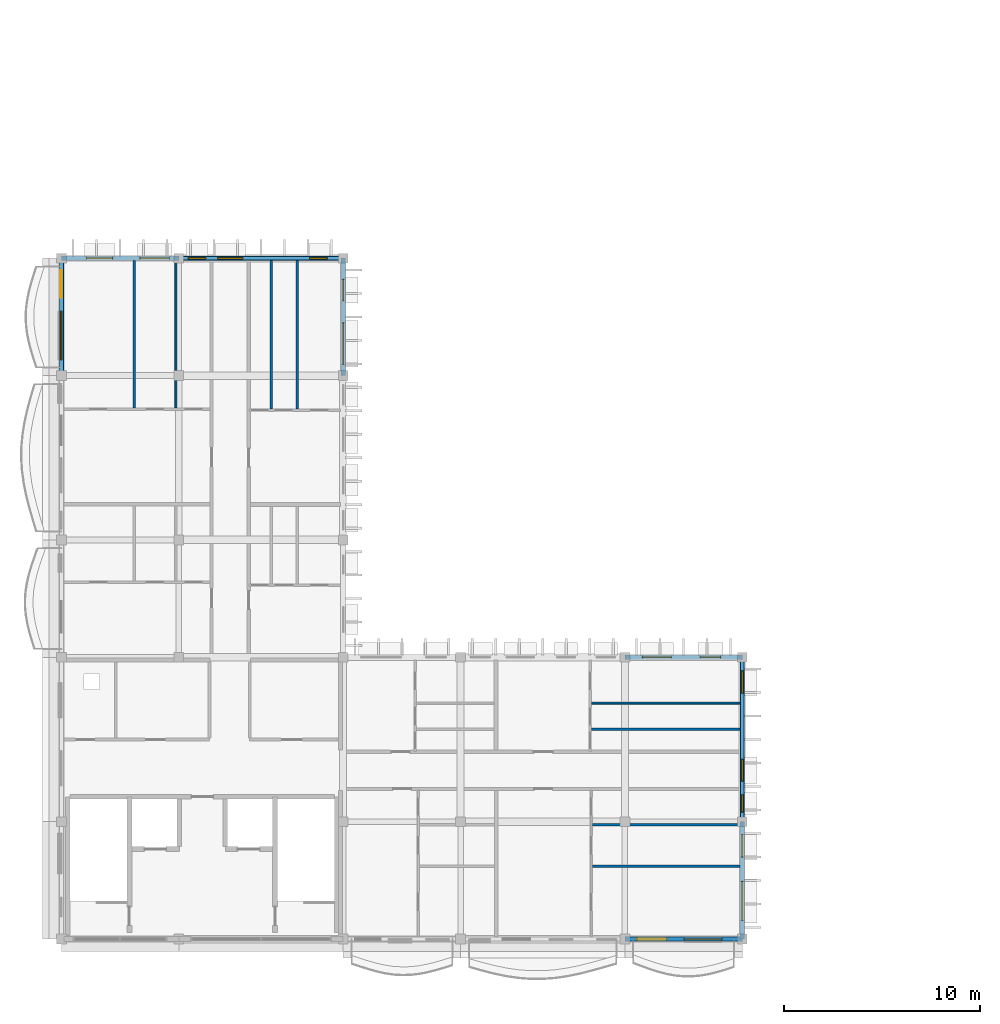
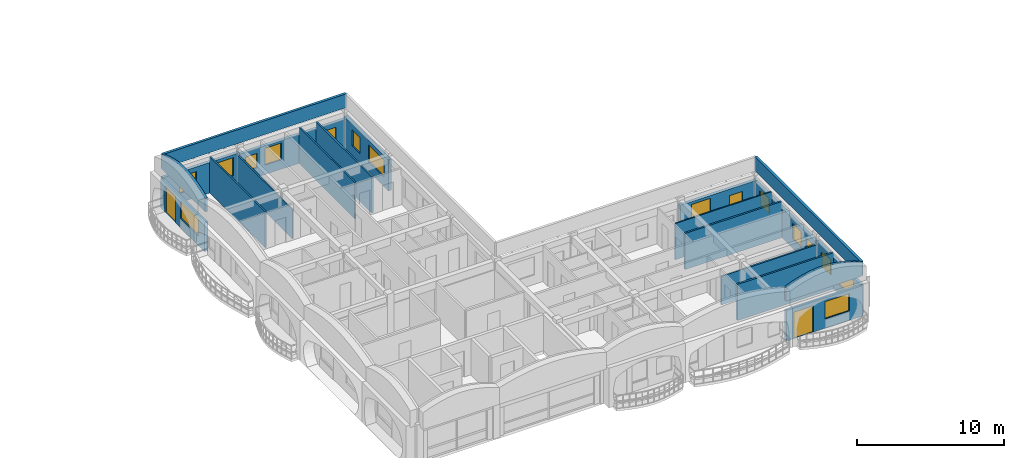
# One storey, part 14 of 45: 20 walls, 16 windows, 2 doors, 18 openings.
"""IFC4 building model written with IfcOpenShell, lengths in metres."""

from ifc_helpers import new_model, si_unit, direction, frame, frame_2d, origin, place, context, subcontext, project, spatial, polyline, rectangle, outline, extrude, material, layer, layer_set, type_object, element, fill, save


model = new_model("IFC4")

# Units and contexts
model_context = context("Model", 3, precision=1e-05, world=origin(), true_north=direction((0.0, 1.0)))
body_context = subcontext(model_context, "Body", "Model", "MODEL_VIEW")
ifc_project = project(units=[si_unit("LENGTHUNIT", "METRE"), si_unit("AREAUNIT", "SQUARE_METRE"), si_unit("VOLUMEUNIT", "CUBIC_METRE"), si_unit("PLANEANGLEUNIT", "RADIAN"), si_unit("MASSUNIT", "GRAM", prefix="KILO"), si_unit("THERMODYNAMICTEMPERATUREUNIT", "KELVIN")], contexts=[model_context])

# Site, building, storey
site_placement = place(None, origin())
site = spatial("IfcSite", under=ifc_project, at=site_placement, CompositionType="ELEMENT")
building_placement = place(site_placement, origin())
building = spatial("IfcBuilding", under=site, at=building_placement, Name="Thalorik Housing Commons", CompositionType="ELEMENT")
storey_placement = place(building_placement, frame((0.0, 0.0, 34.5)))
storey = spatial("IfcBuildingStorey", under=building, at=storey_placement, Name="L10", CompositionType="ELEMENT", Elevation=34.5)

# Wall, openings, windows
ifc_material_1 = material(Name="White precast concrete C40/50", Category="concrete")
ifc_layer_1 = layer(ifc_material_1, 0.2451171875, Name="White precast concrete C40/50", Category="concrete")
ifc_layer_set_1 = layer_set([ifc_layer_1], Name="White precast concrete C40/50")
wall_type_1 = type_object("IfcWallType", Name="ARC-WAL-EXT-245", PredefinedType="STANDARD", material=ifc_layer_set_1)
wall_1_placement = place(storey_placement, frame((22.800048828125, 37.199951171875, 0.0), z_axis=(0.0, 0.0, 1.0), x_axis=(0.0, 1.0, 0.0)))
wall_1 = element("IfcWall", 1, at=wall_1_placement, inside=storey, type_object=wall_type_1, Name="L10 Exterior Wall WAL-EXT-L10-C-1087", PredefinedType="STANDARD", context=body_context, shape_type="SweptSolid", body=[
    extrude(rectangle(XDim=6.0, YDim=0.2451171875, at=frame_2d((3.0, 0.0))), origin(), (0.0, 0.0, 1.0), 2.574951171875),
])
opening_1_placement = place(wall_1_placement, frame((0.570068359375, 0.0, 0.780029296875)))
opening_1 = element("IfcOpeningElement", 2, at=opening_1_placement, cuts=wall_1, Name="Opening W-64", PredefinedType="OPENING", context=body_context, shape_type="SweptSolid", body=[
    extrude(rectangle(XDim=2.1201171875, YDim=1.43994140625, at=frame_2d((1.06005859375, 0.719970703125))), frame((0.0, 0.132568359375, 0.0), z_axis=(0.0, -1.0, 0.0), x_axis=(1.0, 0.0, 0.0)), (0.0, 0.0, 1.0), 0.26513671875),
])
opening_2_placement = place(wall_1_placement, frame((3.820068359375, 0.0, 0.780029296875)))
opening_2 = element("IfcOpeningElement", 3, at=opening_2_placement, cuts=wall_1, Name="Opening W-03", PredefinedType="OPENING", context=body_context, shape_type="SweptSolid", body=[
    extrude(rectangle(XDim=1.10009765625, YDim=1.300048828125, at=frame_2d((0.550048828125, 0.64990234375))), frame((0.0, 0.132568359375, 0.0), z_axis=(0.0, -1.0, 0.0), x_axis=(1.0, 0.0, 0.0)), (0.0, 0.0, 1.0), 0.26513671875),
])
ifc_material_2 = material(Name="Anodised aluminium and solar-control low-E glass", Category="aluminium")
window_type_1 = type_object("IfcWindowType", Name="ARC-WIN-03", PartitioningType="SINGLE_PANEL", PredefinedType="WINDOW", material=ifc_material_2)
window_1_placement = place(opening_2_placement, origin())
window_1 = element("IfcWindow", 4, at=window_1_placement, inside=storey, type_object=window_type_1, Name="L10 Facade Window 2003", OverallHeight=1.300048828125, OverallWidth=1.10009765625, PartitioningType="SINGLE_PANEL", PredefinedType="WINDOW", context=body_context, shape_type="SweptSolid", body=[
    extrude(rectangle(XDim=1.10009765625, YDim=1.300048828125, at=frame_2d((0.550048828125, 0.64990234375))), frame((0.0, 0.030029296875, 0.0), z_axis=(0.0, -1.0, 0.0), x_axis=(1.0, 0.0, 0.0)), (0.0, 0.0, 1.0), 0.06005859375),
])
fill(opening_2, window_1)
window_type_2 = type_object("IfcWindowType", Name="ARC-WIN-64", PartitioningType="DOUBLE_PANEL_VERTICAL", PredefinedType="WINDOW", material=ifc_material_2)
window_2_placement = place(opening_1_placement, origin())
window_2 = element("IfcWindow", 5, at=window_2_placement, inside=storey, type_object=window_type_2, Name="L10 Facade Window 2002", OverallHeight=1.43994140625, OverallWidth=2.1201171875, PartitioningType="DOUBLE_PANEL_VERTICAL", PredefinedType="WINDOW", context=body_context, shape_type="SweptSolid", body=[
    extrude(rectangle(XDim=2.1201171875, YDim=1.43994140625, at=frame_2d((1.06005859375, 0.719970703125))), frame((0.0, 0.030029296875, 0.0), z_axis=(0.0, -1.0, 0.0), x_axis=(1.0, 0.0, 0.0)), (0.0, 0.0, 1.0), 0.06005859375),
])
fill(opening_1, window_2)

wall_2_placement = place(storey_placement, frame((22.800048828125, 43.199951171875, 0.0), z_axis=(0.0, 0.0, 1.0), x_axis=(-1.0, 0.0, 0.0)))
wall_2 = element("IfcWall", 6, at=wall_2_placement, inside=storey, type_object=wall_type_1, Name="L10 Exterior Wall WAL-EXT-L10-C-1088", PredefinedType="STANDARD", context=body_context, shape_type="SweptSolid", body=[
    extrude(rectangle(XDim=8.400146484375, YDim=0.2451171875, at=frame_2d((4.2001953125, 0.0))), origin(), (0.0, 0.0, 1.0), 2.375),
])
opening_3_placement = place(wall_2_placement, frame((0.8173828125, 0.0, 0.780029296875)))
opening_3 = element("IfcOpeningElement", 7, at=opening_3_placement, cuts=wall_2, Name="Opening W-01", PredefinedType="OPENING", context=body_context, shape_type="SweptSolid", body=[
    extrude(rectangle(XDim=0.89990234375, YDim=1.199951171875, at=frame_2d((0.449951171875, 0.60009765625))), frame((0.0, 0.132568359375, 0.0), z_axis=(0.0, -1.0, 0.0), x_axis=(1.0, 0.0, 0.0)), (0.0, 0.0, 1.0), 0.26513671875),
])
opening_4_placement = place(wall_2_placement, frame((5.1201171875, 0.0, 0.780029296875)))
opening_4 = element("IfcOpeningElement", 8, at=opening_4_placement, cuts=wall_2, Name="Opening W-06", PredefinedType="OPENING", context=body_context, shape_type="SweptSolid", body=[
    extrude(rectangle(XDim=1.300048828125, YDim=1.39990234375, at=frame_2d((0.64990234375, 0.699951171875))), frame((0.0, 0.132568359375, 0.0), z_axis=(0.0, -1.0, 0.0), x_axis=(1.0, 0.0, 0.0)), (0.0, 0.0, 1.0), 0.26513671875),
])
opening_5_placement = place(wall_2_placement, frame((7.014892578125, 0.0, 0.780029296875)))
opening_5 = element("IfcOpeningElement", 9, at=opening_5_placement, cuts=wall_2, Name="Opening W-01", PredefinedType="OPENING", context=body_context, shape_type="SweptSolid", body=[
    extrude(rectangle(XDim=0.89990234375, YDim=1.199951171875, at=frame_2d((0.449951171875, 0.60009765625))), frame((0.0, 0.132568359375, 0.0), z_axis=(0.0, -1.0, 0.0), x_axis=(1.0, 0.0, 0.0)), (0.0, 0.0, 1.0), 0.26513671875),
])
window_type_3 = type_object("IfcWindowType", Name="ARC-WIN-01", PartitioningType="SINGLE_PANEL", PredefinedType="WINDOW", material=ifc_material_2)
window_3_placement = place(opening_3_placement, origin())
window_3 = element("IfcWindow", 10, at=window_3_placement, inside=storey, type_object=window_type_3, Name="L10 Facade Window 2004", OverallHeight=1.199951171875, OverallWidth=0.89990234375, PartitioningType="SINGLE_PANEL", PredefinedType="WINDOW", context=body_context, shape_type="SweptSolid", body=[
    extrude(rectangle(XDim=0.89990234375, YDim=1.199951171875, at=frame_2d((0.449951171875, 0.60009765625))), frame((0.0, 0.030029296875, 0.0), z_axis=(0.0, -1.0, 0.0), x_axis=(1.0, 0.0, 0.0)), (0.0, 0.0, 1.0), 0.06005859375),
])
fill(opening_3, window_3)
window_4_placement = place(opening_5_placement, origin())
window_4 = element("IfcWindow", 11, at=window_4_placement, inside=storey, type_object=window_type_3, Name="L10 Facade Window 2006", OverallHeight=1.199951171875, OverallWidth=0.89990234375, PartitioningType="SINGLE_PANEL", PredefinedType="WINDOW", context=body_context, shape_type="SweptSolid", body=[
    extrude(rectangle(XDim=0.89990234375, YDim=1.199951171875, at=frame_2d((0.449951171875, 0.60009765625))), frame((0.0, 0.030029296875, 0.0), z_axis=(0.0, -1.0, 0.0), x_axis=(1.0, 0.0, 0.0)), (0.0, 0.0, 1.0), 0.06005859375),
])
fill(opening_5, window_4)
window_type_4 = type_object("IfcWindowType", Name="ARC-WIN-06", PartitioningType="SINGLE_PANEL", PredefinedType="WINDOW", material=ifc_material_2)
window_5_placement = place(opening_4_placement, origin())
window_5 = element("IfcWindow", 12, at=window_5_placement, inside=storey, type_object=window_type_4, Name="L10 Facade Window 2005", OverallHeight=1.39990234375, OverallWidth=1.300048828125, PartitioningType="SINGLE_PANEL", PredefinedType="WINDOW", context=body_context, shape_type="SweptSolid", body=[
    extrude(rectangle(XDim=1.300048828125, YDim=1.39990234375, at=frame_2d((0.64990234375, 0.699951171875))), frame((0.0, 0.030029296875, 0.0), z_axis=(0.0, -1.0, 0.0), x_axis=(1.0, 0.0, 0.0)), (0.0, 0.0, 1.0), 0.06005859375),
])
fill(opening_4, window_5)

wall_3_placement = place(storey_placement, frame((14.39990234375, 43.199951171875, 0.0), z_axis=(0.0, 0.0, 1.0), x_axis=(-1.0, 0.0, 0.0)))
wall_3 = element("IfcWall", 13, at=wall_3_placement, inside=storey, type_object=wall_type_1, Name="L10 Exterior Wall WAL-EXT-L10-C-1089", PredefinedType="STANDARD", context=body_context, shape_type="SweptSolid", body=[
    extrude(rectangle(XDim=6.0, YDim=0.2451171875, at=frame_2d((3.0, 0.0))), origin(), (0.0, 0.0, 1.0), 2.52490234375),
])
opening_6_placement = place(wall_3_placement, frame((0.486083984375, 0.0, 0.780029296875)))
opening_6 = element("IfcOpeningElement", 14, at=opening_6_placement, cuts=wall_3, Name="Opening W-10", PredefinedType="OPENING", context=body_context, shape_type="SweptSolid", body=[
    extrude(rectangle(XDim=1.5, YDim=1.5, at=frame_2d((0.75, 0.75))), frame((0.0, 0.132568359375, 0.0), z_axis=(0.0, -1.0, 0.0), x_axis=(1.0, 0.0, 0.0)), (0.0, 0.0, 1.0), 0.26513671875),
])
opening_7_placement = place(wall_3_placement, frame((3.38623046875, 0.0, 0.780029296875)))
opening_7 = element("IfcOpeningElement", 15, at=opening_7_placement, cuts=wall_3, Name="Opening W-48", PredefinedType="OPENING", context=body_context, shape_type="SweptSolid", body=[
    extrude(rectangle(XDim=1.320068359375, YDim=1.35009765625, at=frame_2d((0.66015625, 0.675048828125))), frame((0.0, 0.132568359375, 0.0), z_axis=(0.0, -1.0, 0.0), x_axis=(1.0, 0.0, 0.0)), (0.0, 0.0, 1.0), 0.26513671875),
])
window_type_5 = type_object("IfcWindowType", Name="ARC-WIN-10", PartitioningType="SINGLE_PANEL", PredefinedType="WINDOW", material=ifc_material_2)
window_6_placement = place(opening_6_placement, origin())
window_6 = element("IfcWindow", 16, at=window_6_placement, inside=storey, type_object=window_type_5, Name="L10 Facade Window 2007", OverallHeight=1.5, OverallWidth=1.5, PartitioningType="SINGLE_PANEL", PredefinedType="WINDOW", context=body_context, shape_type="SweptSolid", body=[
    extrude(rectangle(XDim=1.5, YDim=1.5, at=frame_2d((0.75, 0.75))), frame((0.0, 0.030029296875, 0.0), z_axis=(0.0, -1.0, 0.0), x_axis=(1.0, 0.0, 0.0)), (0.0, 0.0, 1.0), 0.06005859375),
])
fill(opening_6, window_6)
window_type_6 = type_object("IfcWindowType", Name="ARC-WIN-48", PartitioningType="SINGLE_PANEL", PredefinedType="WINDOW", material=ifc_material_2)
window_7_placement = place(opening_7_placement, origin())
window_7 = element("IfcWindow", 17, at=window_7_placement, inside=storey, type_object=window_type_6, Name="L10 Facade Window 2008", OverallHeight=1.35009765625, OverallWidth=1.320068359375, PartitioningType="SINGLE_PANEL", PredefinedType="WINDOW", context=body_context, shape_type="SweptSolid", body=[
    extrude(rectangle(XDim=1.320068359375, YDim=1.35009765625, at=frame_2d((0.66015625, 0.675048828125))), frame((0.0, 0.030029296875, 0.0), z_axis=(0.0, -1.0, 0.0), x_axis=(1.0, 0.0, 0.0)), (0.0, 0.0, 1.0), 0.06005859375),
])
fill(opening_7, window_7)

# Wall, openings, door, window
wall_4_placement = place(storey_placement, frame((8.39990234375, 43.199951171875, 0.0), z_axis=(0.0, 0.0, 1.0), x_axis=(0.0, -1.0, 0.0)))
wall_4 = element("IfcWall", 18, at=wall_4_placement, inside=storey, type_object=wall_type_1, Name="L10 Exterior Wall WAL-EXT-L10-C-1090", PredefinedType="STANDARD", context=body_context, shape_type="SweptSolid", body=[
    extrude(rectangle(XDim=6.0, YDim=0.2451171875, at=frame_2d((3.0, 0.0))), origin(), (0.0, 0.0, 1.0), 2.445068359375),
])
opening_8_placement = place(wall_4_placement, frame((0.6201171875, 0.0, 0.0)))
opening_8 = element("IfcOpeningElement", 19, at=opening_8_placement, cuts=wall_4, Name="Opening ED-0364", PredefinedType="OPENING", context=body_context, shape_type="SweptSolid", body=[
    extrude(rectangle(XDim=1.39990234375, YDim=2.199951171875, at=frame_2d((0.699951171875, 1.10009765625))), frame((0.0, 0.132568359375, 0.0), z_axis=(0.0, -1.0, 0.0), x_axis=(1.0, 0.0, 0.0)), (0.0, 0.0, 1.0), 0.26513671875),
])
opening_9_placement = place(wall_4_placement, frame((2.699951171875, 0.0, 0.780029296875)))
opening_9 = element("IfcOpeningElement", 20, at=opening_9_placement, cuts=wall_4, Name="Opening W-71", PredefinedType="OPENING", context=body_context, shape_type="SweptSolid", body=[
    extrude(rectangle(XDim=2.47998046875, YDim=1.4599609375, at=frame_2d((1.239990234375, 0.72998046875))), frame((0.0, 0.132568359375, 0.0), z_axis=(0.0, -1.0, 0.0), x_axis=(1.0, 0.0, 0.0)), (0.0, 0.0, 1.0), 0.26513671875),
])
ifc_material_3 = material(Name="Anodised aluminium and laminated safety glass", Category="aluminium")
door_type_1 = type_object("IfcDoorType", Name="ARC-DR-BAL-1400", OperationType="NOTDEFINED", PredefinedType="DOOR", material=ifc_material_3)
door_1_placement = place(opening_8_placement, frame((1.39990234375, 0.0, 0.0), z_axis=(0.0, 0.0, 1.0), x_axis=(-1.0, 0.0, 0.0)))
door_1 = element("IfcDoor", 21, at=door_1_placement, inside=storey, type_object=door_type_1, Name="L10 Block C Balcony Glazed Door", OperationType="SLIDING_TO_LEFT", OverallHeight=2.199951171875, OverallWidth=1.39990234375, PredefinedType="DOOR", context=body_context, shape_type="SweptSolid", body=[
    extrude(rectangle(XDim=1.39990234375, YDim=2.199951171875, at=frame_2d((0.699951171875, 1.10009765625))), frame((0.0, 0.02490234375, 0.0), z_axis=(0.0, -1.0, 0.0), x_axis=(1.0, 0.0, 0.0)), (0.0, 0.0, 1.0), 0.050048828125),
])
fill(opening_8, door_1)
window_type_7 = type_object("IfcWindowType", Name="ARC-WIN-71", PartitioningType="DOUBLE_PANEL_VERTICAL", PredefinedType="WINDOW", material=ifc_material_2)
window_8_placement = place(opening_9_placement, origin())
window_8 = element("IfcWindow", 22, at=window_8_placement, inside=storey, type_object=window_type_7, Name="L10 Facade Window 2009", OverallHeight=1.4599609375, OverallWidth=2.47998046875, PartitioningType="DOUBLE_PANEL_VERTICAL", PredefinedType="WINDOW", context=body_context, shape_type="SweptSolid", body=[
    extrude(rectangle(XDim=2.47998046875, YDim=1.4599609375, at=frame_2d((1.239990234375, 0.72998046875))), frame((0.0, 0.030029296875, 0.0), z_axis=(0.0, -1.0, 0.0), x_axis=(1.0, 0.0, 0.0)), (0.0, 0.0, 1.0), 0.06005859375),
])
fill(opening_9, window_8)

wall_5_placement = place(storey_placement, frame((37.199951171875, 8.39990234375, 0.0), z_axis=(0.0, 0.0, 1.0), x_axis=(1.0, 0.0, 0.0)))
wall_5 = element("IfcWall", 23, at=wall_5_placement, inside=storey, type_object=wall_type_1, Name="L10 Exterior Wall WAL-EXT-L10-C-1099", PredefinedType="STANDARD", context=body_context, shape_type="SweptSolid", body=[
    extrude(rectangle(XDim=6.0, YDim=0.2451171875, at=frame_2d((3.0, 0.0))), origin(), (0.0, 0.0, 1.0), 2.52490234375),
])
opening_10_placement = place(wall_5_placement, frame((0.6201171875, 0.0, 0.0)))
opening_10 = element("IfcOpeningElement", 24, at=opening_10_placement, cuts=wall_5, Name="Opening ED-0369", PredefinedType="OPENING", context=body_context, shape_type="SweptSolid", body=[
    extrude(rectangle(XDim=1.5, YDim=2.199951171875, at=frame_2d((0.75, 1.10009765625))), frame((0.0, 0.132568359375, 0.0), z_axis=(0.0, -1.0, 0.0), x_axis=(1.0, 0.0, 0.0)), (0.0, 0.0, 1.0), 0.26513671875),
])
opening_11_placement = place(wall_5_placement, frame((3.030029296875, 0.0, 0.780029296875)))
opening_11 = element("IfcOpeningElement", 25, at=opening_11_placement, cuts=wall_5, Name="Opening W-60", PredefinedType="OPENING", context=body_context, shape_type="SweptSolid", body=[
    extrude(rectangle(XDim=1.919921875, YDim=1.43994140625, at=frame_2d((0.9599609375, 0.719970703125))), frame((0.0, 0.132568359375, 0.0), z_axis=(0.0, -1.0, 0.0), x_axis=(1.0, 0.0, 0.0)), (0.0, 0.0, 1.0), 0.26513671875),
])
door_type_2 = type_object("IfcDoorType", Name="ARC-DR-BAL-1500", OperationType="NOTDEFINED", PredefinedType="DOOR", material=ifc_material_3)
door_2_placement = place(opening_10_placement, frame((1.5, 0.0, 0.0), z_axis=(0.0, 0.0, 1.0), x_axis=(-1.0, 0.0, 0.0)))
door_2 = element("IfcDoor", 26, at=door_2_placement, inside=storey, type_object=door_type_2, Name="L10 Block C Balcony Glazed Door", OperationType="SLIDING_TO_RIGHT", OverallHeight=2.199951171875, OverallWidth=1.5, PredefinedType="DOOR", context=body_context, shape_type="SweptSolid", body=[
    extrude(rectangle(XDim=1.5, YDim=2.199951171875, at=frame_2d((0.75, 1.10009765625))), frame((0.0, 0.02490234375, 0.0), z_axis=(0.0, -1.0, 0.0), x_axis=(1.0, 0.0, 0.0)), (0.0, 0.0, 1.0), 0.050048828125),
])
fill(opening_10, door_2)
window_type_8 = type_object("IfcWindowType", Name="ARC-WIN-60", PartitioningType="DOUBLE_PANEL_VERTICAL", PredefinedType="WINDOW", material=ifc_material_2)
window_9_placement = place(opening_11_placement, origin())
window_9 = element("IfcWindow", 27, at=window_9_placement, inside=storey, type_object=window_type_8, Name="L10 Facade Window 2023", OverallHeight=1.43994140625, OverallWidth=1.919921875, PartitioningType="DOUBLE_PANEL_VERTICAL", PredefinedType="WINDOW", context=body_context, shape_type="SweptSolid", body=[
    extrude(rectangle(XDim=1.919921875, YDim=1.43994140625, at=frame_2d((0.9599609375, 0.719970703125))), frame((0.0, 0.030029296875, 0.0), z_axis=(0.0, -1.0, 0.0), x_axis=(1.0, 0.0, 0.0)), (0.0, 0.0, 1.0), 0.06005859375),
])
fill(opening_11, window_9)

# Wall, openings, windows
wall_6_placement = place(storey_placement, frame((43.199951171875, 8.39990234375, 0.0), z_axis=(0.0, 0.0, 1.0), x_axis=(0.0, 1.0, 0.0)))
wall_6 = element("IfcWall", 28, at=wall_6_placement, inside=storey, type_object=wall_type_1, Name="L10 Exterior Wall WAL-EXT-L10-C-1100", PredefinedType="STANDARD", context=body_context, shape_type="SweptSolid", body=[
    extrude(rectangle(XDim=6.0, YDim=0.2451171875, at=frame_2d((3.0, 0.0))), origin(), (0.0, 0.0, 1.0), 2.574951171875),
])
opening_12_placement = place(wall_6_placement, frame((0.953857421875, 0.0, 0.780029296875)))
opening_12 = element("IfcOpeningElement", 29, at=opening_12_placement, cuts=wall_6, Name="Opening W-23", PredefinedType="OPENING", context=body_context, shape_type="SweptSolid", body=[
    extrude(rectangle(XDim=2.0, YDim=1.5, at=frame_2d((1.0, 0.75))), frame((0.0, 0.132568359375, 0.0), z_axis=(0.0, -1.0, 0.0), x_axis=(1.0, 0.0, 0.0)), (0.0, 0.0, 1.0), 0.26513671875),
])
opening_13_placement = place(wall_6_placement, frame((4.188720703125, 0.0, 0.780029296875)))
opening_13 = element("IfcOpeningElement", 30, at=opening_13_placement, cuts=wall_6, Name="Opening W-45", PredefinedType="OPENING", context=body_context, shape_type="SweptSolid", body=[
    extrude(rectangle(XDim=1.14990234375, YDim=1.25, at=frame_2d((0.574951171875, 0.625))), frame((0.0, 0.132568359375, 0.0), z_axis=(0.0, -1.0, 0.0), x_axis=(1.0, 0.0, 0.0)), (0.0, 0.0, 1.0), 0.26513671875),
])
window_type_9 = type_object("IfcWindowType", Name="ARC-WIN-23", PartitioningType="DOUBLE_PANEL_VERTICAL", PredefinedType="WINDOW", material=ifc_material_2)
window_10_placement = place(opening_12_placement, origin())
window_10 = element("IfcWindow", 31, at=window_10_placement, inside=storey, type_object=window_type_9, Name="L10 Facade Window 2024", OverallHeight=1.5, OverallWidth=2.0, PartitioningType="DOUBLE_PANEL_VERTICAL", PredefinedType="WINDOW", context=body_context, shape_type="SweptSolid", body=[
    extrude(rectangle(XDim=2.0, YDim=1.5, at=frame_2d((1.0, 0.75))), frame((0.0, 0.030029296875, 0.0), z_axis=(0.0, -1.0, 0.0), x_axis=(1.0, 0.0, 0.0)), (0.0, 0.0, 1.0), 0.06005859375),
])
fill(opening_12, window_10)
window_type_10 = type_object("IfcWindowType", Name="ARC-WIN-45", PartitioningType="SINGLE_PANEL", PredefinedType="WINDOW", material=ifc_material_2)
window_11_placement = place(opening_13_placement, origin())
window_11 = element("IfcWindow", 32, at=window_11_placement, inside=storey, type_object=window_type_10, Name="L10 Facade Window 2025", OverallHeight=1.25, OverallWidth=1.14990234375, PartitioningType="SINGLE_PANEL", PredefinedType="WINDOW", context=body_context, shape_type="SweptSolid", body=[
    extrude(rectangle(XDim=1.14990234375, YDim=1.25, at=frame_2d((0.574951171875, 0.625))), frame((0.0, 0.030029296875, 0.0), z_axis=(0.0, -1.0, 0.0), x_axis=(1.0, 0.0, 0.0)), (0.0, 0.0, 1.0), 0.06005859375),
])
fill(opening_13, window_11)

wall_7_placement = place(storey_placement, frame((43.199951171875, 14.39990234375, 0.0), z_axis=(0.0, 0.0, 1.0), x_axis=(0.0, 1.0, 0.0)))
wall_7 = element("IfcWall", 33, at=wall_7_placement, inside=storey, type_object=wall_type_1, Name="L10 Exterior Wall WAL-EXT-L10-C-1101", PredefinedType="STANDARD", context=body_context, shape_type="SweptSolid", body=[
    extrude(rectangle(XDim=8.400146484375, YDim=0.2451171875, at=frame_2d((4.2001953125, 0.0))), origin(), (0.0, 0.0, 1.0), 2.425048828125),
])
opening_14_placement = place(wall_7_placement, frame((0.485107421875, 0.0, 0.780029296875)))
opening_14 = element("IfcOpeningElement", 34, at=opening_14_placement, cuts=wall_7, Name="Opening W-01", PredefinedType="OPENING", context=body_context, shape_type="SweptSolid", body=[
    extrude(rectangle(XDim=0.89990234375, YDim=1.199951171875, at=frame_2d((0.449951171875, 0.60009765625))), frame((0.0, 0.132568359375, 0.0), z_axis=(0.0, -1.0, 0.0), x_axis=(1.0, 0.0, 0.0)), (0.0, 0.0, 1.0), 0.26513671875),
])
opening_15_placement = place(wall_7_placement, frame((2.080078125, 0.0, 0.780029296875)))
opening_15 = element("IfcOpeningElement", 35, at=opening_15_placement, cuts=wall_7, Name="Opening W-03", PredefinedType="OPENING", context=body_context, shape_type="SweptSolid", body=[
    extrude(rectangle(XDim=1.10009765625, YDim=1.300048828125, at=frame_2d((0.550048828125, 0.64990234375))), frame((0.0, 0.132568359375, 0.0), z_axis=(0.0, -1.0, 0.0), x_axis=(1.0, 0.0, 0.0)), (0.0, 0.0, 1.0), 0.26513671875),
])
opening_16_placement = place(wall_7_placement, frame((6.5576171875, 0.0, 0.780029296875)))
opening_16 = element("IfcOpeningElement", 36, at=opening_16_placement, cuts=wall_7, Name="Opening W-45", PredefinedType="OPENING", context=body_context, shape_type="SweptSolid", body=[
    extrude(rectangle(XDim=1.14990234375, YDim=1.25, at=frame_2d((0.574951171875, 0.625))), frame((0.0, 0.132568359375, 0.0), z_axis=(0.0, -1.0, 0.0), x_axis=(1.0, 0.0, 0.0)), (0.0, 0.0, 1.0), 0.26513671875),
])
window_12_placement = place(opening_14_placement, origin())
window_12 = element("IfcWindow", 37, at=window_12_placement, inside=storey, type_object=window_type_3, Name="L10 Facade Window 2026", OverallHeight=1.199951171875, OverallWidth=0.89990234375, PartitioningType="SINGLE_PANEL", PredefinedType="WINDOW", context=body_context, shape_type="SweptSolid", body=[
    extrude(rectangle(XDim=0.89990234375, YDim=1.199951171875, at=frame_2d((0.449951171875, 0.60009765625))), frame((0.0, 0.030029296875, 0.0), z_axis=(0.0, -1.0, 0.0), x_axis=(1.0, 0.0, 0.0)), (0.0, 0.0, 1.0), 0.06005859375),
])
fill(opening_14, window_12)
window_13_placement = place(opening_15_placement, origin())
window_13 = element("IfcWindow", 38, at=window_13_placement, inside=storey, type_object=window_type_1, Name="L10 Facade Window 2027", OverallHeight=1.300048828125, OverallWidth=1.10009765625, PartitioningType="SINGLE_PANEL", PredefinedType="WINDOW", context=body_context, shape_type="SweptSolid", body=[
    extrude(rectangle(XDim=1.10009765625, YDim=1.300048828125, at=frame_2d((0.550048828125, 0.64990234375))), frame((0.0, 0.030029296875, 0.0), z_axis=(0.0, -1.0, 0.0), x_axis=(1.0, 0.0, 0.0)), (0.0, 0.0, 1.0), 0.06005859375),
])
fill(opening_15, window_13)
window_14_placement = place(opening_16_placement, origin())
window_14 = element("IfcWindow", 39, at=window_14_placement, inside=storey, type_object=window_type_10, Name="L10 Facade Window 2028", OverallHeight=1.25, OverallWidth=1.14990234375, PartitioningType="SINGLE_PANEL", PredefinedType="WINDOW", context=body_context, shape_type="SweptSolid", body=[
    extrude(rectangle(XDim=1.14990234375, YDim=1.25, at=frame_2d((0.574951171875, 0.625))), frame((0.0, 0.030029296875, 0.0), z_axis=(0.0, -1.0, 0.0), x_axis=(1.0, 0.0, 0.0)), (0.0, 0.0, 1.0), 0.06005859375),
])
fill(opening_16, window_14)

wall_8_placement = place(storey_placement, frame((43.199951171875, 22.800048828125, 0.0), z_axis=(0.0, 0.0, 1.0), x_axis=(-1.0, 0.0, 0.0)))
wall_8 = element("IfcWall", 40, at=wall_8_placement, inside=storey, type_object=wall_type_1, Name="L10 Exterior Wall WAL-EXT-L10-C-1102", PredefinedType="STANDARD", context=body_context, shape_type="SweptSolid", body=[
    extrude(rectangle(XDim=6.0, YDim=0.2451171875, at=frame_2d((3.0, 0.0))), origin(), (0.0, 0.0, 1.0), 2.52490234375),
])
opening_17_placement = place(wall_8_placement, frame((1.10498046875, 0.0, 0.780029296875)))
opening_17 = element("IfcOpeningElement", 41, at=opening_17_placement, cuts=wall_8, Name="Opening W-44", PredefinedType="OPENING", context=body_context, shape_type="SweptSolid", body=[
    extrude(rectangle(XDim=1.050048828125, YDim=1.199951171875, at=frame_2d((0.52490234375, 0.60009765625))), frame((0.0, 0.132568359375, 0.0), z_axis=(0.0, -1.0, 0.0), x_axis=(1.0, 0.0, 0.0)), (0.0, 0.0, 1.0), 0.26513671875),
])
opening_18_placement = place(wall_8_placement, frame((3.6298828125, 0.0, 0.780029296875)))
opening_18 = element("IfcOpeningElement", 42, at=opening_18_placement, cuts=wall_8, Name="Opening W-51", PredefinedType="OPENING", context=body_context, shape_type="SweptSolid", body=[
    extrude(rectangle(XDim=1.47998046875, YDim=1.52001953125, at=frame_2d((0.739990234375, 0.760009765625))), frame((0.0, 0.132568359375, 0.0), z_axis=(0.0, -1.0, 0.0), x_axis=(1.0, 0.0, 0.0)), (0.0, 0.0, 1.0), 0.26513671875),
])
window_type_11 = type_object("IfcWindowType", Name="ARC-WIN-44", PartitioningType="SINGLE_PANEL", PredefinedType="WINDOW", material=ifc_material_2)
window_15_placement = place(opening_17_placement, origin())
window_15 = element("IfcWindow", 43, at=window_15_placement, inside=storey, type_object=window_type_11, Name="L10 Facade Window 2029", OverallHeight=1.199951171875, OverallWidth=1.050048828125, PartitioningType="SINGLE_PANEL", PredefinedType="WINDOW", context=body_context, shape_type="SweptSolid", body=[
    extrude(rectangle(XDim=1.050048828125, YDim=1.199951171875, at=frame_2d((0.52490234375, 0.60009765625))), frame((0.0, 0.030029296875, 0.0), z_axis=(0.0, -1.0, 0.0), x_axis=(1.0, 0.0, 0.0)), (0.0, 0.0, 1.0), 0.06005859375),
])
fill(opening_17, window_15)
window_type_12 = type_object("IfcWindowType", Name="ARC-WIN-51", PartitioningType="SINGLE_PANEL", PredefinedType="WINDOW", material=ifc_material_2)
window_16_placement = place(opening_18_placement, origin())
window_16 = element("IfcWindow", 44, at=window_16_placement, inside=storey, type_object=window_type_12, Name="L10 Facade Window 2030", OverallHeight=1.52001953125, OverallWidth=1.47998046875, PartitioningType="SINGLE_PANEL", PredefinedType="WINDOW", context=body_context, shape_type="SweptSolid", body=[
    extrude(rectangle(XDim=1.47998046875, YDim=1.52001953125, at=frame_2d((0.739990234375, 0.760009765625))), frame((0.0, 0.030029296875, 0.0), z_axis=(0.0, -1.0, 0.0), x_axis=(1.0, 0.0, 0.0)), (0.0, 0.0, 1.0), 0.06005859375),
])
fill(opening_18, window_16)

# Walls
ifc_layer_2 = layer(ifc_material_1, 0.195068359375, Name="White precast concrete C40/50", Category="concrete")
ifc_layer_set_2 = layer_set([ifc_layer_2], Name="White precast concrete C40/50")
wall_type_2 = type_object("IfcWallType", Name="ARC-WAL-PAR-195", PredefinedType="PARAPET", material=ifc_layer_set_2)
wall_9_placement = place(storey_placement, frame((22.800048828125, 43.199951171875, 3.300048828125), z_axis=(0.0, 0.0, 1.0), x_axis=(-1.0, 0.0, 0.0)))
element("IfcWall", 45, at=wall_9_placement, inside=storey, type_object=wall_type_2, Name="L10 Block C Roof Parapet 32", PredefinedType="PARAPET", context=body_context, shape_type="SweptSolid", body=[
    extrude(rectangle(XDim=14.400146484375, YDim=0.195068359375, at=frame_2d((7.2001953125, 0.0))), origin(), (0.0, 0.0, 1.0), 1.14990234375),
])
for number, where, z_axis, x_axis, name in (
    (46, (8.39990234375, 43.199951171875, 3.300048828125), (0.0, 0.0, 1.0), (0.0, -1.0, 0.0), "L10 Block C Scalloped Arched Roof Parapet 33"),
    (47, (37.199951171875, 8.39990234375, 3.300048828125), (0.0, 0.0, 1.0), (1.0, 0.0, 0.0), "L10 Block C Scalloped Arched Roof Parapet 42"),
):
    element("IfcWall", number, at=place(storey_placement, frame(where, z_axis=z_axis, x_axis=x_axis)), inside=storey, type_object=wall_type_2, Name=name, PredefinedType="PARAPET", context=body_context, shape_type="SweptSolid", body=[
        extrude(outline(polyline([(0.0, 0.0), (6.0, 0.0), (6.0, 1.119873046875), (5.5, 1.321533203125), (5.0, 1.484375), (4.5, 1.61767578125), (4.0, 1.71728515625), (3.5, 1.779052734375), (3.0, 1.800048828125), (2.5, 1.779052734375), (2.0, 1.71728515625), (1.5, 1.61767578125), (1.0, 1.484375), (0.5, 1.321533203125), (0.0, 1.119873046875), (0.0, 0.0)])), frame((0.0, 0.09765625, 0.0), z_axis=(0.0, -1.0, 0.0), x_axis=(1.0, 0.0, 0.0)), (0.0, 0.0, 1.0), 0.195068359375),
    ])
wall_10_placement = place(storey_placement, frame((43.199951171875, 8.39990234375, 3.300048828125), z_axis=(0.0, 0.0, 1.0), x_axis=(0.0, 1.0, 0.0)))
element("IfcWall", 48, at=wall_10_placement, inside=storey, type_object=wall_type_2, Name="L10 Block C Roof Parapet 43", PredefinedType="PARAPET", context=body_context, shape_type="SweptSolid", body=[
    extrude(rectangle(XDim=14.400146484375, YDim=0.195068359375, at=frame_2d((7.2001953125, 0.0))), origin(), (0.0, 0.0, 1.0), 1.14990234375),
])
ifc_material_4 = material(Name="Gypsum light stud partition", Category="masonry")
ifc_layer_3 = layer(ifc_material_4, 0.10009765625, Name="Gypsum light stud partition", Category="masonry")
ifc_layer_set_3 = layer_set([ifc_layer_3], Name="Gypsum light stud partition")
wall_type_3 = type_object("IfcWallType", Name="ARC-WAL-PART-100", PredefinedType="PARTITIONING", material=ifc_layer_set_3)
wall_11_placement = place(storey_placement, frame((14.251220703125, 35.54443359375, 0.0), z_axis=(0.0, 0.0, 1.0), x_axis=(0.0, 1.0, 0.0)))
element("IfcWall", 49, at=wall_11_placement, inside=storey, type_object=wall_type_3, Name="L10 Unit 2 Wet Wall", PredefinedType="PARTITIONING", context=body_context, shape_type="SweptSolid", body=[
    extrude(rectangle(XDim=7.531005859375, YDim=0.10009765625, at=frame_2d((3.765625, 0.0))), origin(), (0.0, 0.0, 1.0), 2.425048828125),
])
wall_12_placement = place(storey_placement, frame((35.489013671875, 20.455078125, 0.0), z_axis=(0.0, 0.0, 1.0), x_axis=(1.0, 0.0, 0.0)))
element("IfcWall", 50, at=wall_12_placement, inside=storey, type_object=wall_type_3, Name="L10 Unit 2B Bedroom Partition", PredefinedType="PARTITIONING", context=body_context, shape_type="SweptSolid", body=[
    extrude(rectangle(XDim=7.58642578125, YDim=0.10009765625, at=frame_2d((3.793212890625, 0.0))), origin(), (0.0, 0.0, 1.0), 3.0),
])
ifc_material_5 = material(Name="Gypsum moisture-resistant partition", Category="masonry")
ifc_layer_4 = layer(ifc_material_5, 0.114990234375, Name="Gypsum moisture-resistant partition", Category="masonry")
ifc_layer_set_4 = layer_set([ifc_layer_4], Name="Gypsum moisture-resistant partition")
wall_type_4 = type_object("IfcWallType", Name="ARC-WAL-PART-115", PredefinedType="PARTITIONING", material=ifc_layer_set_4)
wall_13_placement = place(storey_placement, frame((12.11767578125, 35.54443359375, 0.0), z_axis=(0.0, 0.0, 1.0), x_axis=(0.0, 1.0, 0.0)))
element("IfcWall", 51, at=wall_13_placement, inside=storey, type_object=wall_type_4, Name="L10 Unit 2 Bedroom Partition", PredefinedType="PARTITIONING", context=body_context, shape_type="SweptSolid", body=[
    extrude(rectangle(XDim=7.531005859375, YDim=0.114990234375, at=frame_2d((3.765625, 0.0))), origin(), (0.0, 0.0, 1.0), 3.0),
])
wall_14_placement = place(storey_placement, frame((19.122314453125, 35.501708984375, 0.0), z_axis=(0.0, 0.0, 1.0), x_axis=(0.0, 1.0, 0.0)))
element("IfcWall", 52, at=wall_14_placement, inside=storey, type_object=wall_type_4, Name="L10 Unit 2B Wet Wall", PredefinedType="PARTITIONING", context=body_context, shape_type="SweptSolid", body=[
    extrude(rectangle(XDim=7.57373046875, YDim=0.114990234375, at=frame_2d((3.786865234375, 0.0))), origin(), (0.0, 0.0, 1.0), 3.0),
])
ifc_material_6 = material(Name="Gypsum acoustic stud partition", Category="masonry")
ifc_layer_5 = layer(ifc_material_6, 0.125, Name="Gypsum acoustic stud partition", Category="masonry")
ifc_layer_set_5 = layer_set([ifc_layer_5], Name="Gypsum acoustic stud partition")
wall_type_5 = type_object("IfcWallType", Name="ARC-WAL-PART-125", PredefinedType="PARTITIONING", material=ifc_layer_set_5)
wall_15_placement = place(storey_placement, frame((20.455078125, 35.501708984375, 0.0), z_axis=(0.0, 0.0, 1.0), x_axis=(0.0, 1.0, 0.0)))
element("IfcWall", 53, at=wall_15_placement, inside=storey, type_object=wall_type_5, Name="L10 Unit 2B Bedroom Partition", PredefinedType="PARTITIONING", context=body_context, shape_type="SweptSolid", body=[
    extrude(rectangle(XDim=7.57373046875, YDim=0.125, at=frame_2d((3.786865234375, 0.0))), origin(), (0.0, 0.0, 1.0), 3.0),
])
wall_16_placement = place(storey_placement, frame((35.531982421875, 14.251220703125, 0.0), z_axis=(0.0, 0.0, 1.0), x_axis=(1.0, 0.0, 0.0)))
element("IfcWall", 54, at=wall_16_placement, inside=storey, type_object=wall_type_5, Name="L10 Unit 2 Wet Wall", PredefinedType="PARTITIONING", context=body_context, shape_type="SweptSolid", body=[
    extrude(rectangle(XDim=7.54345703125, YDim=0.125, at=frame_2d((3.771728515625, 0.0))), origin(), (0.0, 0.0, 1.0), 2.375),
])
ifc_material_7 = material(Name="Ceramic masonry partition wall", Category="masonry")
ifc_layer_6 = layer(ifc_material_7, 0.139892578125, Name="Ceramic masonry partition wall", Category="masonry")
ifc_layer_set_6 = layer_set([ifc_layer_6], Name="Ceramic masonry partition wall")
wall_type_6 = type_object("IfcWallType", Name="ARC-WAL-PART-140", PredefinedType="PARTITIONING", material=ifc_layer_set_6)
wall_17_placement = place(storey_placement, frame((35.531982421875, 12.11767578125, 0.0), z_axis=(0.0, 0.0, 1.0), x_axis=(1.0, 0.0, 0.0)))
element("IfcWall", 55, at=wall_17_placement, inside=storey, type_object=wall_type_6, Name="L10 Unit 2 Bedroom Partition", PredefinedType="PARTITIONING", context=body_context, shape_type="SweptSolid", body=[
    extrude(rectangle(XDim=7.54345703125, YDim=0.139892578125, at=frame_2d((3.771728515625, 0.0))), origin(), (0.0, 0.0, 1.0), 3.0),
])
wall_18_placement = place(storey_placement, frame((35.489013671875, 19.122314453125, 0.0), z_axis=(0.0, 0.0, 1.0), x_axis=(1.0, 0.0, 0.0)))
element("IfcWall", 56, at=wall_18_placement, inside=storey, type_object=wall_type_6, Name="L10 Unit 2B Wet Wall", PredefinedType="PARTITIONING", context=body_context, shape_type="SweptSolid", body=[
    extrude(rectangle(XDim=7.58642578125, YDim=0.139892578125, at=frame_2d((3.793212890625, 0.0))), origin(), (0.0, 0.0, 1.0), 3.0),
])

save(model, "model.ifc")
